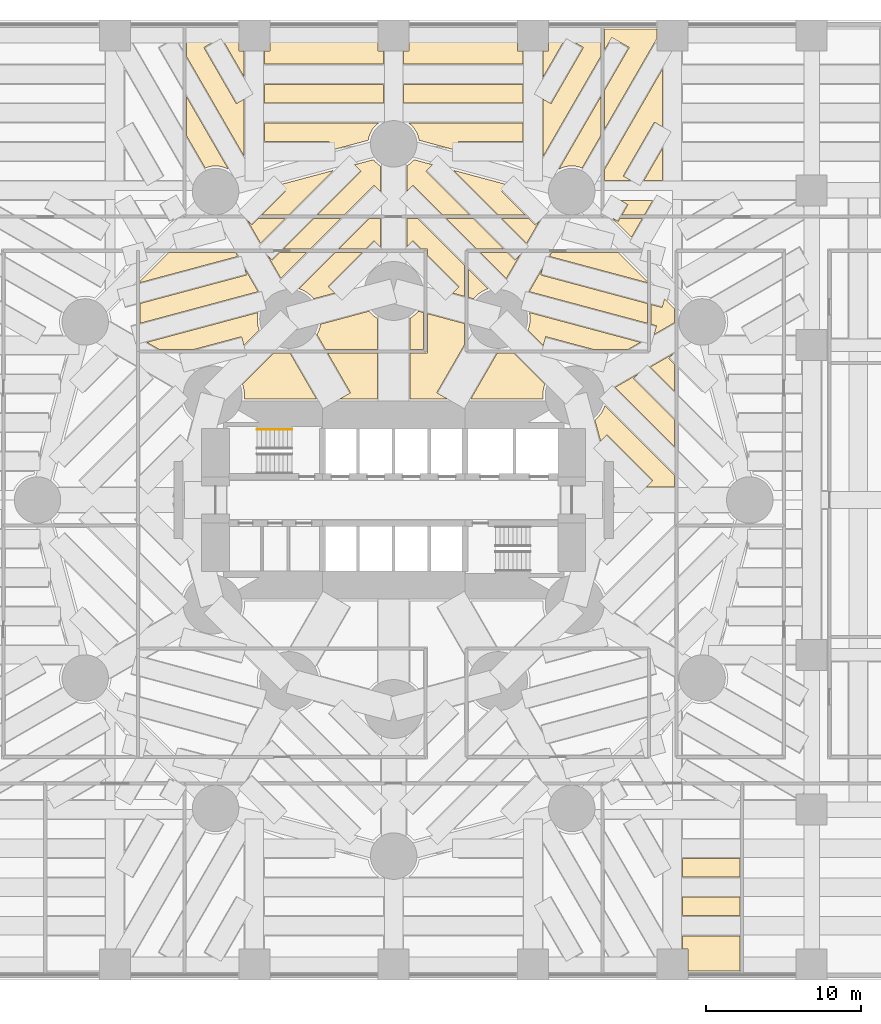
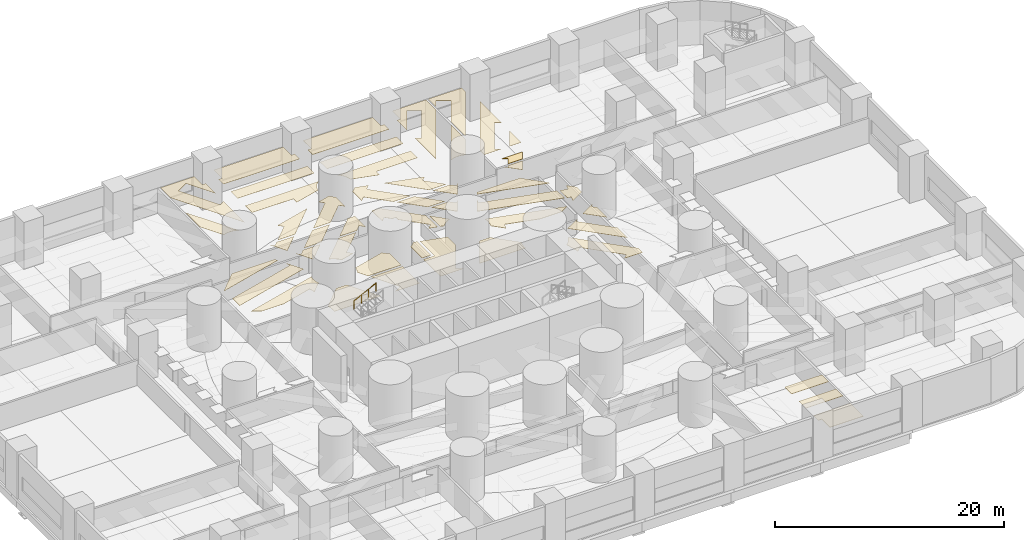
# One storey, part 15 of 17: 48 coverings, 1 railing.
"""IFC4 building model written with IfcOpenShell, lengths in metres."""

from ifc_helpers import new_model, si_unit, direction, frame, origin, origin_2d, place, context, subcontext, project, spatial, polyline, circle, outline, extrude, material, layer, layer_set, type_object, element, save


model = new_model("IFC4")

# Units and contexts
model_context = context("Model", 3, precision=1e-05, world=origin(), true_north=direction((0.0, 1.0)))
body_context = subcontext(model_context, "Body", "Model", "MODEL_VIEW")
ifc_project = project(units=[si_unit("LENGTHUNIT", "METRE"), si_unit("AREAUNIT", "SQUARE_METRE"), si_unit("VOLUMEUNIT", "CUBIC_METRE"), si_unit("PLANEANGLEUNIT", "RADIAN"), si_unit("MASSUNIT", "GRAM", prefix="KILO")], contexts=[model_context])

# Site, building, storey
site_placement = place(None, origin())
site = spatial("IfcSite", under=ifc_project, at=site_placement, CompositionType="ELEMENT")
building_placement = place(site_placement, origin())
building = spatial("IfcBuilding", under=site, at=building_placement, Name="Qaws Media Tower", CompositionType="ELEMENT")
storey_placement = place(building_placement, frame((0.0, 0.0, 15.0)))
storey = spatial("IfcBuildingStorey", under=building, at=storey_placement, Name="L02", CompositionType="ELEMENT", Elevation=15.0)

# Coverings
ifc_material_1 = material(Name="40 perforated acoustic panels with mineral wool backing, suspended", Category="mineral fibre")
ifc_layer_1 = layer(ifc_material_1, 0.0400390625)
ifc_layer_set_1 = layer_set([ifc_layer_1], Name="Acoustic panel ceiling 40")
covering_type_1 = type_object("IfcCoveringType", Name="Acoustic panel ceiling 40", PredefinedType="CEILING", material=ifc_layer_set_1)
covering_1_placement = place(storey_placement, frame((0.0, 0.0, 2.719970703125)))
element("IfcCovering", 1, at=covering_1_placement, inside=storey, type_object=covering_type_1, Name="CL3 ceiling L02-03 Edit suite 1", PredefinedType="CEILING", context=body_context, shape_type="SweptSolid", body=[
    extrude(outline(polyline([(79.0, 19.570068359375), (79.0, 21.0), (78.64990234375, 21.0), (78.64990234375, 21.85009765625), (82.3798828125, 21.85009765625), (82.3798828125, 19.570068359375), (79.0, 19.570068359375)])), origin(), (0.0, 0.0, 1.0), 0.0400390625),
])
covering_2_placement = place(storey_placement, frame((0.0, 0.0, 2.719970703125)))
element("IfcCovering", 2, at=covering_2_placement, inside=storey, type_object=covering_type_1, Name="CL3 ceiling L02-03 Edit suite 1", PredefinedType="CEILING", context=body_context, shape_type="SweptSolid", body=[
    extrude(outline(polyline([(82.3798828125, 25.64990234375), (78.64990234375, 25.64990234375), (78.64990234375, 26.85009765625), (82.3798828125, 26.85009765625), (82.3798828125, 25.64990234375)])), origin(), (0.0, 0.0, 1.0), 0.0400390625),
])
covering_3_placement = place(storey_placement, frame((0.0, 0.0, 2.719970703125)))
element("IfcCovering", 3, at=covering_3_placement, inside=storey, type_object=covering_type_1, Name="CL3 ceiling L02-03 Edit suite 1", PredefinedType="CEILING", context=body_context, shape_type="SweptSolid", body=[
    extrude(outline(polyline([(82.3798828125, 23.14990234375), (78.64990234375, 23.14990234375), (78.64990234375, 24.35009765625), (82.3798828125, 24.35009765625), (82.3798828125, 23.14990234375)])), origin(), (0.0, 0.0, 1.0), 0.0400390625),
])
covering_4_placement = place(storey_placement, frame((0.0, 0.0, 2.719970703125)))
element("IfcCovering", 4, at=covering_4_placement, inside=storey, type_object=covering_type_1, Name="CL3 ceiling L02-16 Quality control room", PredefinedType="CEILING", context=body_context, shape_type="SweptSolid", body=[
    extrude(outline(polyline([(76.3798828125, 61.41357421875), (68.751220703125, 63.45751953125), (69.62646484375, 64.9736328125), (69.50830078125, 64.532470703125), (76.3798828125, 62.691162109375), (76.3798828125, 61.41357421875)])), origin(), (0.0, 0.0, 1.0), 0.0400390625),
])
covering_5_placement = place(storey_placement, frame((0.0, 0.0, 2.719970703125)))
element("IfcCovering", 5, at=covering_5_placement, inside=storey, type_object=covering_type_1, Name="CL3 ceiling L02-16 Quality control room", PredefinedType="CEILING", context=body_context, shape_type="SweptSolid", body=[
    extrude(outline(polyline([(72.909423828125, 59.719970703125), (69.8212890625, 60.547607421875), (69.668212890625, 59.975341796875), (68.67529296875, 60.968017578125), (68.73974609375, 61.158203125), (68.79248046875, 61.422607421875), (68.81005859375, 61.69140625), (68.79248046875, 61.960205078125), (68.7626953125, 62.108642578125), (75.94140625, 60.185302734375), (75.135498046875, 59.719970703125), (72.909423828125, 59.719970703125)])), origin(), (0.0, 0.0, 1.0), 0.0400390625),
])
covering_6_placement = place(storey_placement, frame((0.0, 0.0, 2.719970703125)))
element("IfcCovering", 6, at=covering_6_placement, inside=storey, type_object=covering_type_1, Name="CL3 ceiling L02-16 Quality control room", PredefinedType="CEILING", context=body_context, shape_type="SweptSolid", body=[
    extrude(outline(polyline([(76.3798828125, 64.037109375), (70.06298828125, 65.7294921875), (70.20751953125, 65.97998046875), (74.519287109375, 65.97998046875), (76.3798828125, 64.119384765625), (76.3798828125, 64.037109375)])), origin(), (0.0, 0.0, 1.0), 0.0400390625),
])
covering_7_placement = place(storey_placement, frame((0.0, 0.0, 2.719970703125)))
element("IfcCovering", 7, at=covering_7_placement, inside=storey, type_object=covering_type_1, Name="CL3 ceiling L02-16 Quality control room", PredefinedType="CEILING", context=body_context, shape_type="SweptSolid", body=[
    extrude(outline(polyline([(67.351806640625, 65.97998046875), (67.831298828125, 65.50048828125), (68.154296875, 65.82373046875), (67.279052734375, 64.3076171875), (65.606689453125, 65.97998046875), (67.351806640625, 65.97998046875)])), origin(), (0.0, 0.0, 1.0), 0.0400390625),
])
covering_8_placement = place(storey_placement, frame((0.0, 0.0, 2.719970703125)))
element("IfcCovering", 8, at=covering_8_placement, inside=storey, type_object=covering_type_1, Name="CL3 ceiling L02-16 Quality control room", PredefinedType="CEILING", context=body_context, shape_type="SweptSolid", body=[
    extrude(outline(polyline([(65.961669921875, 63.594482421875), (65.719970703125, 63.475341796875), (65.49609375, 63.32568359375), (65.29345703125, 63.14794921875), (65.160888671875, 62.9970703125), (64.820068359375, 63.08837890625), (64.820068359375, 64.92822265625), (66.10498046875, 63.643310546875), (65.961669921875, 63.594482421875)])), origin(), (0.0, 0.0, 1.0), 0.0400390625),
])
ifc_material_2 = material(Name="600 x 600 mineral fibre tiles in exposed grid, suspended", Category="mineral fibre")
ifc_layer_2 = layer(ifc_material_2, 0.02001953125)
ifc_layer_set_2 = layer_set([ifc_layer_2], Name="Mineral fibre tile ceiling 20")
covering_type_2 = type_object("IfcCoveringType", Name="Mineral fibre tile ceiling 20", PredefinedType="CEILING", material=ifc_layer_set_2)
covering_9_placement = place(storey_placement, frame((0.0, 0.0, 2.719970703125)))
element("IfcCovering", 9, at=covering_9_placement, inside=storey, type_object=covering_type_2, Name="CL1 ceiling L02-00 Production foyer", PredefinedType="CEILING", context=body_context, shape_type="SweptSolid", body=[
    extrude(outline(polyline([(64.580078125, 60.03271484375), (62.78564453125, 56.925048828125), (63.4873046875, 56.52001953125), (61.050048828125, 56.52001953125), (61.050048828125, 59.47998046875), (62.169921875, 59.47998046875), (62.169921875, 62.03857421875), (64.580078125, 61.392822265625), (64.580078125, 60.03271484375)])), origin(), (0.0, 0.0, 1.0), 0.02001953125),
])
covering_10_placement = place(storey_placement, frame((0.0, 0.0, 2.719970703125)))
element("IfcCovering", 10, at=covering_10_placement, inside=storey, type_object=covering_type_2, Name="CL1 ceiling L02-00 Production foyer", PredefinedType="CEILING", context=body_context, shape_type="SweptSolid", body=[
    extrude(outline(polyline([(67.75927734375, 59.47998046875), (69.76611328125, 57.47314453125), (69.701416015625, 57.283203125), (69.64892578125, 57.018798828125), (69.63134765625, 56.75), (69.646484375, 56.52001953125), (64.976806640625, 56.52001953125), (66.685791015625, 59.47998046875), (67.75927734375, 59.47998046875)])), origin(), (0.0, 0.0, 1.0), 0.02001953125),
])
covering_11_placement = place(storey_placement, frame((0.0, 0.0, 2.719970703125)))
element("IfcCovering", 11, at=covering_11_placement, inside=storey, type_object=covering_type_2, Name="CL1 ceiling L02-00 Production foyer", PredefinedType="CEILING", context=body_context, shape_type="SweptSolid", body=[
    extrude(outline(polyline([(50.36865234375, 56.75), (50.35107421875, 57.018798828125), (50.298583984375, 57.283203125), (50.23388671875, 57.47314453125), (52.24072265625, 59.47998046875), (53.314208984375, 59.47998046875), (55.023193359375, 56.52001953125), (50.353515625, 56.52001953125), (50.36865234375, 56.75)])), origin(), (0.0, 0.0, 1.0), 0.02001953125),
])
covering_12_placement = place(storey_placement, frame((0.0, 0.0, 2.719970703125)))
element("IfcCovering", 12, at=covering_12_placement, inside=storey, type_object=covering_type_2, Name="CL1 ceiling L02-00 Production foyer", PredefinedType="CEILING", context=body_context, shape_type="SweptSolid", body=[
    extrude(outline(polyline([(78.14990234375, 50.85009765625), (76.333740234375, 50.85009765625), (76.743408203125, 51.259521484375), (73.779296875, 54.2236328125), (73.360595703125, 53.804931640625), (72.9970703125, 55.160888671875), (73.14794921875, 55.29345703125), (73.32568359375, 55.49609375), (73.475341796875, 55.719970703125), (73.594482421875, 55.961669921875), (73.643310546875, 56.10498046875), (78.14990234375, 51.59814453125), (78.14990234375, 50.85009765625)])), origin(), (0.0, 0.0, 1.0), 0.02001953125),
])
covering_13_placement = place(storey_placement, frame((0.0, 0.0, 2.719970703125)))
element("IfcCovering", 13, at=covering_13_placement, inside=storey, type_object=covering_type_2, Name="CL1 ceiling L02-00 Production foyer", PredefinedType="CEILING", context=body_context, shape_type="SweptSolid", body=[
    extrude(outline(polyline([(56.5126953125, 56.52001953125), (57.21435546875, 56.925048828125), (55.7392578125, 59.47998046875), (58.949951171875, 59.47998046875), (58.949951171875, 56.52001953125), (56.5126953125, 56.52001953125)])), origin(), (0.0, 0.0, 1.0), 0.02001953125),
])
covering_14_placement = place(storey_placement, frame((0.0, 0.0, 2.719970703125)))
element("IfcCovering", 14, at=covering_14_placement, inside=storey, type_object=covering_type_2, Name="CL1 ceiling L02-00 Production foyer", PredefinedType="CEILING", context=body_context, shape_type="SweptSolid", body=[
    extrude(outline(polyline([(61.568115234375, 68.179931640625), (64.580078125, 65.168212890625), (64.580078125, 63.15283203125), (63.804931640625, 63.360595703125), (64.2236328125, 63.779296875), (62.169921875, 65.8330078125), (62.169921875, 66.219970703125), (61.782958984375, 66.219970703125), (61.259521484375, 66.743408203125), (60.85009765625, 66.333740234375), (60.85009765625, 68.179931640625), (61.568115234375, 68.179931640625)])), origin(), (0.0, 0.0, 1.0), 0.02001953125),
])
covering_15_placement = place(storey_placement, frame((0.0, 0.0, 2.719970703125)))
element("IfcCovering", 15, at=covering_15_placement, inside=storey, type_object=covering_type_2, Name="CL1 ceiling L02-00 Production foyer", PredefinedType="CEILING", context=body_context, shape_type="SweptSolid", body=[
    extrude(outline(polyline([(78.14990234375, 53.436767578125), (74.3076171875, 57.279052734375), (75.82373046875, 58.154296875), (75.50048828125, 57.831298828125), (78.14990234375, 55.181884765625), (78.14990234375, 53.436767578125)])), origin(), (0.0, 0.0, 1.0), 0.02001953125),
])
covering_16_placement = place(storey_placement, frame((0.0, 0.0, 2.719970703125)))
element("IfcCovering", 16, at=covering_16_placement, inside=storey, type_object=covering_type_2, Name="CL1 ceiling L02-00 Production foyer", PredefinedType="CEILING", context=body_context, shape_type="SweptSolid", body=[
    extrude(outline(polyline([(56.59326171875, 68.179931640625), (54.63330078125, 66.219970703125), (52.88818359375, 66.219970703125), (54.84814453125, 68.179931640625), (56.59326171875, 68.179931640625)])), origin(), (0.0, 0.0, 1.0), 0.02001953125),
])
covering_17_placement = place(storey_placement, frame((0.0, 0.0, 2.719970703125)))
element("IfcCovering", 17, at=covering_17_placement, inside=storey, type_object=covering_type_2, Name="CL1 ceiling L02-00 Production foyer", PredefinedType="CEILING", context=body_context, shape_type="SweptSolid", body=[
    extrude(outline(polyline([(65.15185546875, 68.179931640625), (67.11181640625, 66.219970703125), (65.36669921875, 66.219970703125), (63.40673828125, 68.179931640625), (65.15185546875, 68.179931640625)])), origin(), (0.0, 0.0, 1.0), 0.02001953125),
])
covering_18_placement = place(storey_placement, frame((0.0, 0.0, 2.719970703125)))
element("IfcCovering", 18, at=covering_18_placement, inside=storey, type_object=covering_type_2, Name="CL1 ceiling L02-00 Production foyer", PredefinedType="CEILING", context=body_context, shape_type="SweptSolid", body=[
    extrude(outline(polyline([(59.14990234375, 68.179931640625), (59.14990234375, 66.333740234375), (58.740478515625, 66.743408203125), (58.217041015625, 66.219970703125), (56.4716796875, 66.219970703125), (58.431884765625, 68.179931640625), (59.14990234375, 68.179931640625)])), origin(), (0.0, 0.0, 1.0), 0.02001953125),
])
covering_19_placement = place(storey_placement, frame((0.0, 0.0, 2.719970703125)))
element("IfcCovering", 19, at=covering_19_placement, inside=storey, type_object=covering_type_2, Name="CL1 ceiling L02-00 Production foyer", PredefinedType="CEILING", context=body_context, shape_type="SweptSolid", body=[
    extrude(outline(polyline([(78.14990234375, 61.46044921875), (76.823974609375, 60.69482421875), (76.973876953125, 61.25439453125), (76.6201171875, 61.34912109375), (76.6201171875, 62.626708984375), (77.340087890625, 62.433837890625), (77.493408203125, 63.006103515625), (78.14990234375, 62.349365234375), (78.14990234375, 61.46044921875)])), origin(), (0.0, 0.0, 1.0), 0.02001953125),
])
covering_20_placement = place(storey_placement, frame((0.0, 0.0, 2.719970703125)))
element("IfcCovering", 20, at=covering_20_placement, inside=storey, type_object=covering_type_2, Name="CL1 ceiling L02-00 Production foyer", PredefinedType="CEILING", context=body_context, shape_type="SweptSolid", body=[
    extrude(outline(polyline([(68.735595703125, 68.179931640625), (69.14306640625, 67.772705078125), (69.466064453125, 68.095703125), (68.5908203125, 66.57958984375), (66.990478515625, 68.179931640625), (68.735595703125, 68.179931640625)])), origin(), (0.0, 0.0, 1.0), 0.02001953125),
])
covering_21_placement = place(storey_placement, frame((0.0, 0.0, 2.719970703125)))
element("IfcCovering", 21, at=covering_21_placement, inside=storey, type_object=covering_type_2, Name="CL1 ceiling L02-00 Production foyer", PredefinedType="CEILING", context=body_context, shape_type="SweptSolid", body=[
    extrude(outline(polyline([(53.009521484375, 68.179931640625), (51.4091796875, 66.57958984375), (50.533935546875, 68.095703125), (50.85693359375, 67.772705078125), (51.264404296875, 68.179931640625), (53.009521484375, 68.179931640625)])), origin(), (0.0, 0.0, 1.0), 0.02001953125),
])
covering_22_placement = place(storey_placement, frame((0.0, 0.0, 2.719970703125)))
element("IfcCovering", 22, at=covering_22_placement, inside=storey, type_object=covering_type_2, Name="CL1 ceiling L02-00 Production foyer", PredefinedType="CEILING", context=body_context, shape_type="SweptSolid", body=[
    extrude(outline(polyline([(78.14990234375, 57.0205078125), (76.57958984375, 58.5908203125), (78.095703125, 59.466064453125), (77.772705078125, 59.14306640625), (78.14990234375, 58.765625), (78.14990234375, 57.0205078125)])), origin(), (0.0, 0.0, 1.0), 0.02001953125),
])
covering_23_placement = place(storey_placement, frame((0.0, 0.0, 2.719970703125)))
element("IfcCovering", 23, at=covering_23_placement, inside=storey, type_object=covering_type_2, Name="CL1 ceiling L02-00 Production foyer", PredefinedType="CEILING", context=body_context, shape_type="SweptSolid", body=[
    extrude(outline(polyline([(74.193115234375, 68.179931640625), (74.505126953125, 68.0), (74.609130859375, 68.179931640625), (76.062744140625, 68.179931640625), (75.365478515625, 66.972412109375), (74.15771484375, 68.179931640625), (74.193115234375, 68.179931640625)])), origin(), (0.0, 0.0, 1.0), 0.02001953125),
])
covering_24_placement = place(storey_placement, frame((0.0, 0.0, 2.719970703125)))
element("IfcCovering", 24, at=covering_24_placement, inside=storey, type_object=covering_type_2, Name="CL1 ceiling L02-01 Apparatus room", PredefinedType="CEILING", context=body_context, shape_type="SweptSolid", body=[
    extrude(outline(polyline([(77.0, 80.429931640625), (77.0, 79.80322265625), (73.6201171875, 73.948974609375), (73.6201171875, 76.466796875), (75.21240234375, 79.22509765625), (74.086669921875, 79.875), (73.6201171875, 79.066650390625), (73.6201171875, 80.429931640625), (77.0, 80.429931640625)])), origin(), (0.0, 0.0, 1.0), 0.02001953125),
])
covering_25_placement = place(storey_placement, frame((0.0, 0.0, 2.719970703125)))
element("IfcCovering", 25, at=covering_25_placement, inside=storey, type_object=covering_type_2, Name="CL1 ceiling L02-01 Apparatus room", PredefinedType="CEILING", context=body_context, shape_type="SweptSolid", body=[
    extrude(outline(polyline([(73.6201171875, 71.34912109375), (77.35009765625, 77.8095703125), (77.35009765625, 74.107421875), (76.837158203125, 74.403564453125), (74.828857421875, 70.925048828125), (75.30517578125, 70.64990234375), (73.6201171875, 70.64990234375), (73.6201171875, 71.34912109375)])), origin(), (0.0, 0.0, 1.0), 0.02001953125),
])
covering_26_placement = place(storey_placement, frame((0.0, 0.0, 2.719970703125)))
element("IfcCovering", 26, at=covering_26_placement, inside=storey, type_object=covering_type_2, Name="CL1 ceiling L02-01 Apparatus room", PredefinedType="CEILING", context=body_context, shape_type="SweptSolid", body=[
    extrude(outline(polyline([(74.747802734375, 68.419921875), (75.1259765625, 69.074951171875), (74.649658203125, 69.35009765625), (76.73828125, 69.35009765625), (76.201416015625, 68.419921875), (74.747802734375, 68.419921875)])), origin(), (0.0, 0.0, 1.0), 0.02001953125),
])
covering_27_placement = place(storey_placement, frame((0.0, 0.0, 2.719970703125)))
element("IfcCovering", 27, at=covering_27_placement, inside=storey, type_object=covering_type_2, Name="CL1 ceiling L02-01 Apparatus room", PredefinedType="CEILING", context=body_context, shape_type="SweptSolid", body=[
    extrude(outline(polyline([(77.35009765625, 72.69189453125), (77.35009765625, 70.64990234375), (76.171142578125, 70.64990234375), (77.35009765625, 72.69189453125)])), origin(), (0.0, 0.0, 1.0), 0.02001953125),
])
covering_28_placement = place(storey_placement, frame((0.0, 0.0, 2.719970703125)))
element("IfcCovering", 28, at=covering_28_placement, inside=storey, type_object=covering_type_2, Name="CL1 ceiling L02-10 Network operations centre", PredefinedType="CEILING", context=body_context, shape_type="SweptSolid", body=[
    extrude(outline(polyline([(52.0, 79.0), (52.0, 80.429931640625), (59.0, 80.429931640625), (59.0, 79.0), (59.35009765625, 79.0), (59.35009765625, 78.14990234375), (51.64990234375, 78.14990234375), (51.64990234375, 79.0), (52.0, 79.0)])), origin(), (0.0, 0.0, 1.0), 0.02001953125),
])
covering_29_placement = place(storey_placement, frame((0.0, 0.0, 2.719970703125)))
element("IfcCovering", 29, at=covering_29_placement, inside=storey, type_object=covering_type_2, Name="CL1 ceiling L02-10 Network operations centre", PredefinedType="CEILING", context=body_context, shape_type="SweptSolid", body=[
    extrude(outline(polyline([(61.0, 79.0), (61.0, 80.429931640625), (68.0, 80.429931640625), (68.0, 79.0), (68.35009765625, 79.0), (68.35009765625, 78.14990234375), (60.64990234375, 78.14990234375), (60.64990234375, 79.0), (61.0, 79.0)])), origin(), (0.0, 0.0, 1.0), 0.02001953125),
])
covering_30_placement = place(storey_placement, frame((0.0, 0.0, 2.719970703125)))
element("IfcCovering", 30, at=covering_30_placement, inside=storey, type_object=covering_type_2, Name="CL1 ceiling L02-10 Network operations centre", PredefinedType="CEILING", context=body_context, shape_type="SweptSolid", body=[
    extrude(outline(polyline([(50.0, 80.429931640625), (50.0, 79.0), (50.35009765625, 79.0), (50.35009765625, 77.30810546875), (48.867919921875, 79.875), (47.7421875, 79.22509765625), (49.837158203125, 75.596435546875), (50.35009765625, 75.892578125), (50.35009765625, 72.1904296875), (46.6201171875, 78.65087890625), (46.6201171875, 80.429931640625), (50.0, 80.429931640625)])), origin(), (0.0, 0.0, 1.0), 0.02001953125),
])
covering_31_placement = place(storey_placement, frame((0.0, 0.0, 2.719970703125)))
element("IfcCovering", 31, at=covering_31_placement, inside=storey, type_object=covering_type_2, Name="CL1 ceiling L02-10 Network operations centre", PredefinedType="CEILING", context=body_context, shape_type="SweptSolid", body=[
    extrude(outline(polyline([(70.0, 79.0), (70.0, 80.429931640625), (73.3798828125, 80.429931640625), (73.3798828125, 78.65087890625), (69.64990234375, 72.1904296875), (69.64990234375, 75.892578125), (70.162841796875, 75.596435546875), (72.2578125, 79.22509765625), (71.132080078125, 79.875), (69.64990234375, 77.30810546875), (69.64990234375, 79.0), (70.0, 79.0)])), origin(), (0.0, 0.0, 1.0), 0.02001953125),
])
covering_32_placement = place(storey_placement, frame((0.0, 0.0, 2.719970703125)))
element("IfcCovering", 32, at=covering_32_placement, inside=storey, type_object=covering_type_2, Name="CL1 ceiling L02-10 Network operations centre", PredefinedType="CEILING", context=body_context, shape_type="SweptSolid", body=[
    extrude(outline(polyline([(59.35009765625, 76.85009765625), (59.35009765625, 75.64990234375), (51.64990234375, 75.64990234375), (51.64990234375, 76.85009765625), (59.35009765625, 76.85009765625)])), origin(), (0.0, 0.0, 1.0), 0.02001953125),
])
covering_33_placement = place(storey_placement, frame((0.0, 0.0, 2.719970703125)))
element("IfcCovering", 33, at=covering_33_placement, inside=storey, type_object=covering_type_2, Name="CL1 ceiling L02-10 Network operations centre", PredefinedType="CEILING", context=body_context, shape_type="SweptSolid", body=[
    extrude(outline(polyline([(68.35009765625, 76.85009765625), (68.35009765625, 75.64990234375), (60.64990234375, 75.64990234375), (60.64990234375, 76.85009765625), (68.35009765625, 76.85009765625)])), origin(), (0.0, 0.0, 1.0), 0.02001953125),
])
covering_34_placement = place(storey_placement, frame((0.0, 0.0, 2.719970703125)))
element("IfcCovering", 34, at=covering_34_placement, inside=storey, type_object=covering_type_2, Name="CL1 ceiling L02-10 Network operations centre", PredefinedType="CEILING", context=body_context, shape_type="SweptSolid", body=[
    extrude(outline(polyline([(58.989501953125, 74.31689453125), (58.826171875, 74.173828125), (58.68310546875, 74.010498046875), (58.5625, 73.830078125), (58.46630859375, 73.63525390625), (58.396484375, 73.4296875), (58.357421875, 73.23291015625), (55.81591796875, 72.5517578125), (55.81591796875, 73.14990234375), (51.64990234375, 73.14990234375), (51.64990234375, 74.35009765625), (59.038818359375, 74.35009765625), (58.989501953125, 74.31689453125)])), origin(), (0.0, 0.0, 1.0), 0.02001953125),
])
covering_35_placement = place(storey_placement, frame((0.0, 0.0, 2.719970703125)))
element("IfcCovering", 35, at=covering_35_placement, inside=storey, type_object=covering_type_2, Name="CL1 ceiling L02-10 Network operations centre", PredefinedType="CEILING", context=body_context, shape_type="SweptSolid", body=[
    extrude(outline(polyline([(61.603515625, 73.4296875), (61.53369140625, 73.63525390625), (61.4375, 73.830078125), (61.31689453125, 74.010498046875), (61.173828125, 74.173828125), (61.010498046875, 74.31689453125), (60.961181640625, 74.35009765625), (68.35009765625, 74.35009765625), (68.35009765625, 73.14990234375), (64.18408203125, 73.14990234375), (64.18408203125, 72.5517578125), (61.642578125, 73.23291015625), (61.603515625, 73.4296875)])), origin(), (0.0, 0.0, 1.0), 0.02001953125),
])
covering_36_placement = place(storey_placement, frame((0.0, 0.0, 2.719970703125)))
element("IfcCovering", 36, at=covering_36_placement, inside=storey, type_object=covering_type_2, Name="CL1 ceiling L02-10 Network operations centre", PredefinedType="CEILING", context=body_context, shape_type="SweptSolid", body=[
    extrude(outline(polyline([(55.088134765625, 68.419921875), (57.902099609375, 71.23388671875), (57.483154296875, 71.652587890625), (58.69384765625, 71.97705078125), (58.826171875, 71.826171875), (58.989501953125, 71.68310546875), (59.14990234375, 71.57568359375), (59.14990234375, 69.91748046875), (58.740478515625, 70.3271484375), (56.833251953125, 68.419921875), (55.088134765625, 68.419921875)])), origin(), (0.0, 0.0, 1.0), 0.02001953125),
])
covering_37_placement = place(storey_placement, frame((0.0, 0.0, 2.719970703125)))
element("IfcCovering", 37, at=covering_37_placement, inside=storey, type_object=covering_type_2, Name="CL1 ceiling L02-10 Network operations centre", PredefinedType="CEILING", context=body_context, shape_type="SweptSolid", body=[
    extrude(outline(polyline([(63.166748046875, 68.419921875), (61.259521484375, 70.3271484375), (60.85009765625, 69.91748046875), (60.85009765625, 71.57568359375), (61.010498046875, 71.68310546875), (61.173828125, 71.826171875), (61.30615234375, 71.97705078125), (62.516845703125, 71.652587890625), (62.097900390625, 71.23388671875), (64.911865234375, 68.419921875), (63.166748046875, 68.419921875)])), origin(), (0.0, 0.0, 1.0), 0.02001953125),
])
covering_38_placement = place(storey_placement, frame((0.0, 0.0, 2.719970703125)))
element("IfcCovering", 38, at=covering_38_placement, inside=storey, type_object=covering_type_2, Name="CL1 ceiling L02-10 Network operations centre", PredefinedType="CEILING", context=body_context, shape_type="SweptSolid", body=[
    extrude(outline(polyline([(73.3798828125, 73.533203125), (72.1689453125, 71.435546875), (72.13525390625, 71.4521484375), (71.9296875, 71.52197265625), (71.716796875, 71.564453125), (71.5, 71.57861328125), (71.283203125, 71.564453125), (71.0703125, 71.52197265625), (70.86474609375, 71.4521484375), (70.669189453125, 71.355712890625), (73.3798828125, 76.051025390625), (73.3798828125, 73.533203125)])), origin(), (0.0, 0.0, 1.0), 0.02001953125),
])
covering_39_placement = place(storey_placement, frame((0.0, 0.0, 2.719970703125)))
element("IfcCovering", 39, at=covering_39_placement, inside=storey, type_object=covering_type_2, Name="CL1 ceiling L02-10 Network operations centre", PredefinedType="CEILING", context=body_context, shape_type="SweptSolid", body=[
    extrude(outline(polyline([(49.330810546875, 71.355712890625), (49.13525390625, 71.4521484375), (48.9296875, 71.52197265625), (48.716796875, 71.564453125), (48.5, 71.57861328125), (48.283203125, 71.564453125), (48.0703125, 71.52197265625), (47.86474609375, 71.4521484375), (47.8310546875, 71.435546875), (46.6201171875, 73.533203125), (46.6201171875, 76.051025390625), (49.330810546875, 71.355712890625)])), origin(), (0.0, 0.0, 1.0), 0.02001953125),
])
covering_40_placement = place(storey_placement, frame((0.0, 0.0, 2.719970703125)))
element("IfcCovering", 40, at=covering_40_placement, inside=storey, type_object=covering_type_2, Name="CL1 ceiling L02-10 Network operations centre", PredefinedType="CEILING", context=body_context, shape_type="SweptSolid", body=[
    extrude(outline(polyline([(66.75048828125, 68.419921875), (63.884033203125, 71.286376953125), (67.412353515625, 70.341064453125), (66.993408203125, 69.922119140625), (68.49560546875, 68.419921875), (66.75048828125, 68.419921875)])), origin(), (0.0, 0.0, 1.0), 0.02001953125),
])
covering_41_placement = place(storey_placement, frame((0.0, 0.0, 2.719970703125)))
element("IfcCovering", 41, at=covering_41_placement, inside=storey, type_object=covering_type_2, Name="CL1 ceiling L02-10 Network operations centre", PredefinedType="CEILING", context=body_context, shape_type="SweptSolid", body=[
    extrude(outline(polyline([(51.50439453125, 68.419921875), (53.006591796875, 69.922119140625), (52.587646484375, 70.341064453125), (56.115966796875, 71.286376953125), (53.24951171875, 68.419921875), (51.50439453125, 68.419921875)])), origin(), (0.0, 0.0, 1.0), 0.02001953125),
])
ifc_material_3 = material(Name="Two layers 12.5 moisture-resistant plasterboard on suspended metal furring", Category="gypsum")
ifc_layer_3 = layer(ifc_material_3, 0.02490234375)
ifc_layer_set_3 = layer_set([ifc_layer_3], Name="Plasterboard ceiling 25")
covering_type_3 = type_object("IfcCoveringType", Name="Plasterboard ceiling 25", PredefinedType="CEILING", material=ifc_layer_set_3)
covering_42_placement = place(storey_placement, frame((0.0, 0.0, 2.719970703125)))
element("IfcCovering", 42, at=covering_42_placement, inside=storey, type_object=covering_type_3, Name="CL2 ceiling L02-05 Engineering office", PredefinedType="CEILING", context=body_context, shape_type="SweptSolid", body=[
    extrude(outline(polyline([(43.6201171875, 62.691162109375), (50.49169921875, 64.532470703125), (50.37353515625, 64.9736328125), (51.248779296875, 63.45751953125), (43.6201171875, 61.41357421875), (43.6201171875, 62.691162109375)])), origin(), (0.0, 0.0, 1.0), 0.025146484375),
])
covering_43_placement = place(storey_placement, frame((0.0, 0.0, 2.719970703125)))
element("IfcCovering", 43, at=covering_43_placement, inside=storey, type_object=covering_type_3, Name="CL2 ceiling L02-05 Engineering office", PredefinedType="CEILING", context=body_context, shape_type="SweptSolid", body=[
    extrude(outline(polyline([(51.20751953125, 61.960205078125), (51.18994140625, 61.69140625), (51.20751953125, 61.422607421875), (51.26025390625, 61.158203125), (51.32470703125, 60.968017578125), (50.331787109375, 59.975341796875), (50.1787109375, 60.547607421875), (47.090576171875, 59.719970703125), (44.864501953125, 59.719970703125), (44.05859375, 60.185302734375), (51.2373046875, 62.108642578125), (51.20751953125, 61.960205078125)])), origin(), (0.0, 0.0, 1.0), 0.025146484375),
])
covering_44_placement = place(storey_placement, frame((0.0, 0.0, 2.719970703125)))
element("IfcCovering", 44, at=covering_44_placement, inside=storey, type_object=covering_type_3, Name="CL2 ceiling L02-05 Engineering office", PredefinedType="CEILING", context=body_context, shape_type="SweptSolid", body=[
    extrude(outline(polyline([(58.54345703125, 62.04345703125), (58.74609375, 61.86572265625), (58.949951171875, 61.7294921875), (58.949951171875, 59.719970703125), (55.6005859375, 59.719970703125), (55.044677734375, 60.682861328125), (55.1533203125, 60.903076171875), (55.23974609375, 61.158203125), (55.279052734375, 61.35498046875), (58.410888671875, 62.1943359375), (58.54345703125, 62.04345703125)])), origin(), (0.0, 0.0, 1.0), 0.025146484375),
])
covering_45_placement = place(storey_placement, frame((0.0, 0.0, 2.719970703125)))
element("IfcCovering", 45, at=covering_45_placement, inside=storey, type_object=covering_type_3, Name="CL2 ceiling L02-05 Engineering office", PredefinedType="CEILING", context=body_context, shape_type="SweptSolid", body=[
    extrude(outline(polyline([(43.6201171875, 64.119384765625), (45.480712890625, 65.97998046875), (49.79248046875, 65.97998046875), (49.93701171875, 65.7294921875), (43.6201171875, 64.037109375), (43.6201171875, 64.119384765625)])), origin(), (0.0, 0.0, 1.0), 0.025146484375),
])
covering_46_placement = place(storey_placement, frame((0.0, 0.0, 2.719970703125)))
element("IfcCovering", 46, at=covering_46_placement, inside=storey, type_object=covering_type_3, Name="CL2 ceiling L02-05 Engineering office", PredefinedType="CEILING", context=body_context, shape_type="SweptSolid", body=[
    extrude(outline(polyline([(54.70654296875, 63.14794921875), (54.50390625, 63.32568359375), (54.280029296875, 63.475341796875), (54.038330078125, 63.594482421875), (53.89501953125, 63.643310546875), (56.231689453125, 65.97998046875), (57.97705078125, 65.97998046875), (55.7763671875, 63.779296875), (56.195068359375, 63.360595703125), (54.839111328125, 62.9970703125), (54.70654296875, 63.14794921875)])), origin(), (0.0, 0.0, 1.0), 0.025146484375),
])
covering_47_placement = place(storey_placement, frame((0.0, 0.0, 2.719970703125)))
element("IfcCovering", 47, at=covering_47_placement, inside=storey, type_object=covering_type_3, Name="CL2 ceiling L02-05 Engineering office", PredefinedType="CEILING", context=body_context, shape_type="SweptSolid", body=[
    extrude(outline(polyline([(61.25390625, 61.86572265625), (61.45654296875, 62.04345703125), (61.589111328125, 62.1943359375), (61.929931640625, 62.102783203125), (61.929931640625, 59.719970703125), (61.050048828125, 59.719970703125), (61.050048828125, 61.7294921875), (61.25390625, 61.86572265625)])), origin(), (0.0, 0.0, 1.0), 0.025146484375),
])
covering_48_placement = place(storey_placement, frame((0.0, 0.0, 2.719970703125)))
element("IfcCovering", 48, at=covering_48_placement, inside=storey, type_object=covering_type_3, Name="CL2 ceiling L02-05 Engineering office", PredefinedType="CEILING", context=body_context, shape_type="SweptSolid", body=[
    extrude(outline(polyline([(54.393310546875, 65.97998046875), (52.720947265625, 64.3076171875), (51.845703125, 65.82373046875), (52.168701171875, 65.50048828125), (52.648193359375, 65.97998046875), (54.393310546875, 65.97998046875)])), origin(), (0.0, 0.0, 1.0), 0.025146484375),
])

# Railing
ifc_material_4 = material(Name="Steel tube handrail", Category="steel")
railing_type = type_object("IfcRailingType", Name="Stair handrail 900", PredefinedType="HANDRAIL", material=ifc_material_4)
railing_placement = place(storey_placement, frame((51.179931640625, 54.550048828125, 3.888916015625)))
element("IfcRailing", 49, at=railing_placement, inside=storey, type_object=railing_type, Name="HR1 handrail S1 flight 4 L02", PredefinedType="HANDRAIL", context=body_context, shape_type="SweptSolid", body=[
    extrude(circle(Radius=0.02392578125, at=origin_2d()), frame((0.0, 0.0, 0.8759765625), z_axis=(0.895848192791, 0.0, 0.444360231651), x_axis=(0.0, 1.0, 0.0)), (0.0, 0.0, 1.0), 2.50048828125),
    extrude(circle(Radius=0.02099609375, at=origin_2d()), origin(), (0.0, 0.0, 1.0), 0.851806640625),
    extrude(circle(Radius=0.02099609375, at=origin_2d()), frame((0.74658203125, 0.0, 0.370361328125)), (0.0, 0.0, 1.0), 0.851806640625),
    extrude(circle(Radius=0.02099609375, at=origin_2d()), frame((1.493408203125, 0.0, 0.74072265625)), (0.0, 0.0, 1.0), 0.851806640625),
    extrude(circle(Radius=0.02099609375, at=origin_2d()), frame((2.239990234375, 0.0, 1.111083984375)), (0.0, 0.0, 1.0), 0.851806640625),
])

save(model, "model.ifc")
